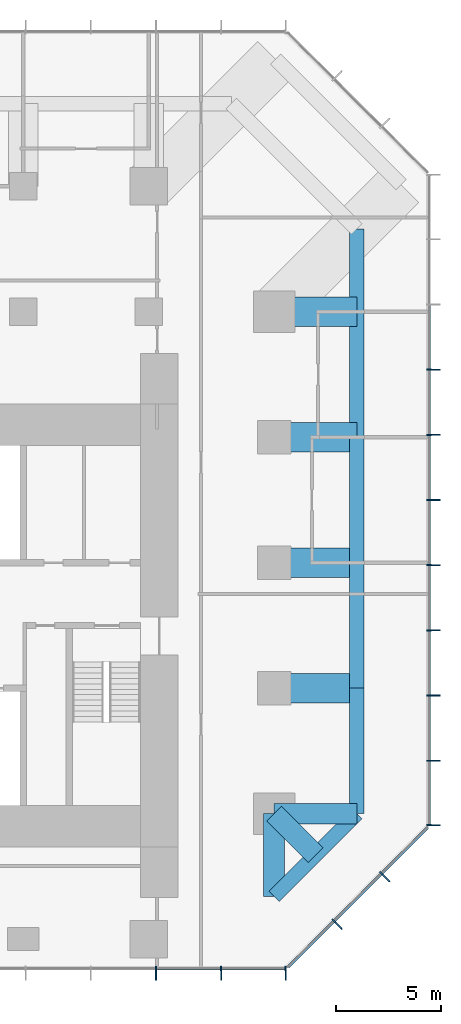
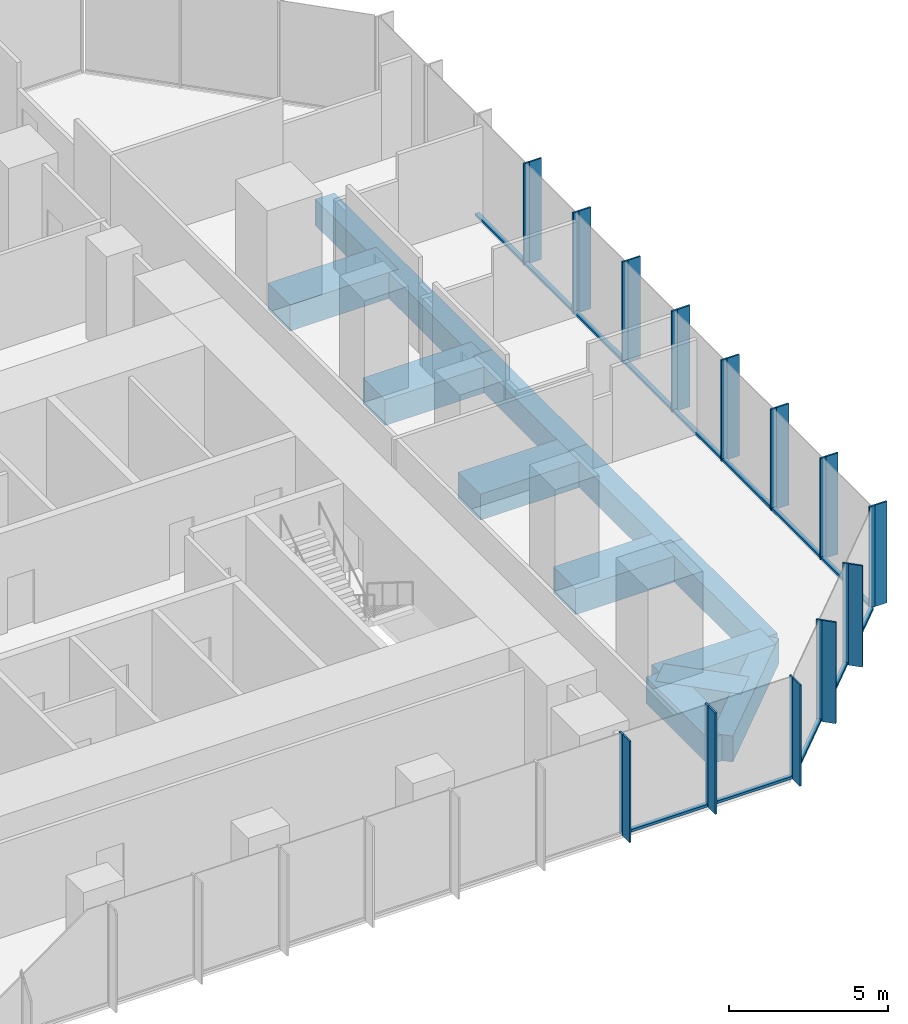
# One storey, part 4 of 11: 39 members, 12 beams, 3 elements without a shape of their own.
"""IFC4 building model written with IfcOpenShell, lengths in metres."""

from ifc_helpers import new_model, si_unit, direction, frame, origin, origin_2d, place, context, subcontext, project, spatial, rectangle, extrude, material, layer, layer_set, material_profile, profile_set, type_object, element, aggregate, save


model = new_model("IFC4")

# Units and contexts
model_context = context("Model", 3, precision=1e-05, world=origin(), true_north=direction((0.0, 1.0)))
body_context = subcontext(model_context, "Body", "Model", "MODEL_VIEW")
ifc_project = project(units=[si_unit("LENGTHUNIT", "METRE"), si_unit("AREAUNIT", "SQUARE_METRE"), si_unit("VOLUMEUNIT", "CUBIC_METRE"), si_unit("PLANEANGLEUNIT", "RADIAN"), si_unit("MASSUNIT", "GRAM", prefix="KILO")], contexts=[model_context])

# Site, building, storey
site_placement = place(None, origin())
site = spatial("IfcSite", under=ifc_project, at=site_placement, CompositionType="ELEMENT")
building_placement = place(site_placement, origin())
building = spatial("IfcBuilding", under=site, at=building_placement, Name="Highveld Stack Headquarters", CompositionType="ELEMENT")
storey_placement = place(building_placement, frame((0.0, 0.0, 181.10009765625)))
storey = spatial("IfcBuildingStorey", under=building, at=storey_placement, Name="L44", CompositionType="ELEMENT", Elevation=181.10009765625)

# Beams
ifc_material_1 = material(Name="Concrete C60/75", Category="concrete")
ifc_material_profile_1 = material_profile(ifc_material_1, rectangle(XDim=1.0, YDim=1.0, at=origin_2d()), Name="RC 1000x1000")
ifc_profile_set_1 = profile_set([ifc_material_profile_1], Name="Concrete C60/75")
beam_type_1 = type_object("IfcBeamType", Name="CANTILEVER RIB RC 1000x1000", PredefinedType="USERDEFINED", material=ifc_profile_set_1)
for number, where, z_axis, x_axis, name in (
    (1, (24.0, -6.0, -0.75), (1.0, 0.0, 0.0), (0.0, 1.0, 0.0), "Cantilever rib 10/D L44"),
    (2, (24.0, -6.0, -0.75), (0.0, -1.0, 0.0), (1.0, 0.0, 0.0), "Cantilever rib 10/D L44"),
):
    element("IfcBeam", number, at=place(storey_placement, frame(where, z_axis=z_axis, x_axis=x_axis)), inside=storey, type_object=beam_type_1, Name=name, ObjectType="CANTILEVER RIB", PredefinedType="USERDEFINED", context=body_context, shape_type="SweptSolid", body=[
        extrude(rectangle(XDim=1.0, YDim=1.0, at=origin_2d()), origin(), (0.0, 0.0, 1.0), 3.949951171875),
    ])
beam_1_placement = place(storey_placement, frame((24.0, -6.0, -0.75), z_axis=(0.707106781187, -0.707106781187, 0.0), x_axis=(0.707106781187, 0.707106781187, 0.0)))
element("IfcBeam", 3, at=beam_1_placement, inside=storey, type_object=beam_type_1, Name="Cantilever rib 10/D L44", ObjectType="CANTILEVER RIB", PredefinedType="USERDEFINED", context=body_context, shape_type="SweptSolid", body=[
    extrude(rectangle(XDim=1.0, YDim=1.0, at=origin_2d()), origin(), (0.0, 0.0, 1.0), 2.793212890625),
])
ifc_material_2 = material(Name="Concrete C60/75", Category="concrete")
ifc_material_profile_2 = material_profile(ifc_material_2, rectangle(XDim=1.39990234375, YDim=1.0, at=origin_2d()), Name="RC 1400x1000")
ifc_profile_set_2 = profile_set([ifc_material_profile_2], Name="Concrete C60/75")
beam_type_2 = type_object("IfcBeamType", Name="CANTILEVER RIB RC 1400x1000", PredefinedType="USERDEFINED", material=ifc_profile_set_2)
for number, where, z_axis, x_axis, name in (
    (4, (24.0, 0.0, -0.75), (1.0, 0.0, 0.0), (0.0, 1.0, 0.0), "Cantilever rib 10/E L44"),
    (5, (24.0, 6.0, -0.75), (1.0, 0.0, 0.0), (0.0, 1.0, 0.0), "Cantilever rib 10/F L44"),
    (6, (24.0, 12.0, -0.75), (1.0, 0.0, 0.0), (0.0, 1.0, 0.0), "Cantilever rib 10/G L44"),
    (7, (24.0, 18.0, -0.75), (1.0, 0.0, 0.0), (0.0, 1.0, 0.0), "Cantilever rib 10/H L44"),
):
    element("IfcBeam", number, at=place(storey_placement, frame(where, z_axis=z_axis, x_axis=x_axis)), inside=storey, type_object=beam_type_2, Name=name, ObjectType="CANTILEVER RIB", PredefinedType="USERDEFINED", context=body_context, shape_type="SweptSolid", body=[
        extrude(rectangle(XDim=1.39990234375, YDim=1.0, at=origin_2d()), origin(), (0.0, 0.0, 1.0), 3.949951171875),
    ])

# Curtain wall, members
ifc_material_3 = material(Name="Aluminium bronze anodised", Category="aluminium")
ifc_layer_1 = layer(ifc_material_3, 0.199951171875)
ifc_layer_set_1 = layer_set([ifc_layer_1], Name="Aluminium bronze anodised")
curtain_wall_type_1 = type_object("IfcCurtainWallType", Name="CW1 TOWER UNITISED CURTAIN WALL", PredefinedType="NOTDEFINED", material=ifc_layer_set_1)
curtain_wall_1_placement = place(storey_placement, origin())
curtain_wall_1 = element("IfcCurtainWall", 8, at=curtain_wall_1_placement, inside=storey, type_object=curtain_wall_type_1, Name="Curtain wall CW1 L44 S", PredefinedType="NOTDEFINED")
ifc_material_4 = material(Name="Aluminium bronze anodised", Category="aluminium")
ifc_material_profile_3 = material_profile(ifc_material_4, rectangle(XDim=0.449951171875, YDim=0.06005859375, at=origin_2d()), Name="FIN 450x60")
ifc_profile_set_3 = profile_set([ifc_material_profile_3], Name="Aluminium bronze anodised")
member_type_1 = type_object("IfcMemberType", Name="CW1 BRONZE FIN 450x60", PredefinedType="USERDEFINED", material=ifc_profile_set_3)
member_1_placement = place(storey_placement, frame((18.347900390625, -13.72509765625, 0.0), z_axis=(0.0, 0.0, 1.0), x_axis=(0.0, 1.0, 0.0)))
member_1 = element("IfcMember", 9, at=member_1_placement, type_object=member_type_1, Name="CW1 fin L44 9", ObjectType="FIN", PredefinedType="USERDEFINED", context=body_context, shape_type="SweptSolid", body=[
    extrude(rectangle(XDim=0.449951171875, YDim=0.06005859375, at=origin_2d()), origin(), (0.0, 0.0, 1.0), 3.89990234375),
])
member_2_placement = place(storey_placement, frame((21.4638671875, -13.72509765625, 0.0), z_axis=(0.0, 0.0, 1.0), x_axis=(0.0, 1.0, 0.0)))
member_2 = element("IfcMember", 10, at=member_2_placement, type_object=member_type_1, Name="CW1 fin L44 10", ObjectType="FIN", PredefinedType="USERDEFINED", context=body_context, shape_type="SweptSolid", body=[
    extrude(rectangle(XDim=0.449951171875, YDim=0.06005859375, at=origin_2d()), origin(), (0.0, 0.0, 1.0), 3.89990234375),
])
member_3_placement = place(storey_placement, frame((24.54736328125, -13.72509765625, 0.0), z_axis=(0.0, 0.0, 1.0), x_axis=(0.0, 1.0, 0.0)))
member_3 = element("IfcMember", 11, at=member_3_placement, type_object=member_type_1, Name="CW1 fin L44 11", ObjectType="FIN", PredefinedType="USERDEFINED", context=body_context, shape_type="SweptSolid", body=[
    extrude(rectangle(XDim=0.449951171875, YDim=0.06005859375, at=origin_2d()), origin(), (0.0, 0.0, 1.0), 3.89990234375),
])

curtain_wall_2_placement = place(storey_placement, origin())
curtain_wall_2 = element("IfcCurtainWall", 12, at=curtain_wall_2_placement, inside=storey, type_object=curtain_wall_type_1, Name="Curtain wall CW1 L44 E", PredefinedType="NOTDEFINED")
member_4_placement = place(storey_placement, frame((31.72509765625, -6.54736328125, 0.0), z_axis=(0.0, 0.0, 1.0), x_axis=(-1.0, 0.0, 0.0)))
member_4 = element("IfcMember", 13, at=member_4_placement, type_object=member_type_1, Name="CW1 fin L44 1", ObjectType="FIN", PredefinedType="USERDEFINED", context=body_context, shape_type="SweptSolid", body=[
    extrude(rectangle(XDim=0.449951171875, YDim=0.06005859375, at=origin_2d()), origin(), (0.0, 0.0, 1.0), 3.89990234375),
])
member_5_placement = place(storey_placement, frame((31.72509765625, -3.4638671875, 0.0), z_axis=(0.0, 0.0, 1.0), x_axis=(-1.0, 0.0, 0.0)))
member_5 = element("IfcMember", 14, at=member_5_placement, type_object=member_type_1, Name="CW1 fin L44 2", ObjectType="FIN", PredefinedType="USERDEFINED", context=body_context, shape_type="SweptSolid", body=[
    extrude(rectangle(XDim=0.449951171875, YDim=0.06005859375, at=origin_2d()), origin(), (0.0, 0.0, 1.0), 3.89990234375),
])
member_6_placement = place(storey_placement, frame((31.72509765625, -0.347900390625, 0.0), z_axis=(0.0, 0.0, 1.0), x_axis=(-1.0, 0.0, 0.0)))
member_6 = element("IfcMember", 15, at=member_6_placement, type_object=member_type_1, Name="CW1 fin L44 3", ObjectType="FIN", PredefinedType="USERDEFINED", context=body_context, shape_type="SweptSolid", body=[
    extrude(rectangle(XDim=0.449951171875, YDim=0.06005859375, at=origin_2d()), origin(), (0.0, 0.0, 1.0), 3.89990234375),
])
member_7_placement = place(storey_placement, frame((31.72509765625, 2.76806640625, 0.0), z_axis=(0.0, 0.0, 1.0), x_axis=(-1.0, 0.0, 0.0)))
member_7 = element("IfcMember", 16, at=member_7_placement, type_object=member_type_1, Name="CW1 fin L44 4", ObjectType="FIN", PredefinedType="USERDEFINED", context=body_context, shape_type="SweptSolid", body=[
    extrude(rectangle(XDim=0.449951171875, YDim=0.06005859375, at=origin_2d()), origin(), (0.0, 0.0, 1.0), 3.89990234375),
])
member_8_placement = place(storey_placement, frame((31.72509765625, 5.884033203125, 0.0), z_axis=(0.0, 0.0, 1.0), x_axis=(-1.0, 0.0, 0.0)))
member_8 = element("IfcMember", 17, at=member_8_placement, type_object=member_type_1, Name="CW1 fin L44 5", ObjectType="FIN", PredefinedType="USERDEFINED", context=body_context, shape_type="SweptSolid", body=[
    extrude(rectangle(XDim=0.449951171875, YDim=0.06005859375, at=origin_2d()), origin(), (0.0, 0.0, 1.0), 3.89990234375),
])
member_9_placement = place(storey_placement, frame((31.72509765625, 9.0, 0.0), z_axis=(0.0, 0.0, 1.0), x_axis=(-1.0, 0.0, 0.0)))
member_9 = element("IfcMember", 18, at=member_9_placement, type_object=member_type_1, Name="CW1 fin L44 6", ObjectType="FIN", PredefinedType="USERDEFINED", context=body_context, shape_type="SweptSolid", body=[
    extrude(rectangle(XDim=0.449951171875, YDim=0.06005859375, at=origin_2d()), origin(), (0.0, 0.0, 1.0), 3.89990234375),
])
member_10_placement = place(storey_placement, frame((31.72509765625, 12.115966796875, 0.0), z_axis=(0.0, 0.0, 1.0), x_axis=(-1.0, 0.0, 0.0)))
member_10 = element("IfcMember", 19, at=member_10_placement, type_object=member_type_1, Name="CW1 fin L44 7", ObjectType="FIN", PredefinedType="USERDEFINED", context=body_context, shape_type="SweptSolid", body=[
    extrude(rectangle(XDim=0.449951171875, YDim=0.06005859375, at=origin_2d()), origin(), (0.0, 0.0, 1.0), 3.89990234375),
])
member_11_placement = place(storey_placement, frame((31.72509765625, 15.23193359375, 0.0), z_axis=(0.0, 0.0, 1.0), x_axis=(-1.0, 0.0, 0.0)))
member_11 = element("IfcMember", 20, at=member_11_placement, type_object=member_type_1, Name="CW1 fin L44 8", ObjectType="FIN", PredefinedType="USERDEFINED", context=body_context, shape_type="SweptSolid", body=[
    extrude(rectangle(XDim=0.449951171875, YDim=0.06005859375, at=origin_2d()), origin(), (0.0, 0.0, 1.0), 3.89990234375),
])

# Member
ifc_material_5 = material(Name="Aluminium bronze anodised", Category="aluminium")
ifc_material_profile_4 = material_profile(ifc_material_5, rectangle(XDim=0.199951171875, YDim=0.06494140625, at=origin_2d()), Name="CW1 MULLION 65x200")
ifc_profile_set_4 = profile_set([ifc_material_profile_4], Name="Aluminium bronze anodised")
member_type_2 = type_object("IfcMemberType", Name="CW1 MULLION 65x200", PredefinedType="MULLION", material=ifc_profile_set_4)
member_12_placement = place(storey_placement, frame((18.347900390625, -13.39990234375, 0.0), z_axis=(0.0, 0.0, 1.0), x_axis=(0.0, 1.0, 0.0)))
member_12 = element("IfcMember", 21, at=member_12_placement, type_object=member_type_2, Name="CW1 mullion L44 9", PredefinedType="MULLION", context=body_context, shape_type="SweptSolid", body=[
    extrude(rectangle(XDim=0.199951171875, YDim=0.06494140625, at=origin_2d()), origin(), (0.0, 0.0, 1.0), 3.89990234375),
])

member_13_placement = place(storey_placement, frame((21.4638671875, -13.39990234375, 0.0), z_axis=(0.0, 0.0, 1.0), x_axis=(0.0, 1.0, 0.0)))
member_13 = element("IfcMember", 22, at=member_13_placement, type_object=member_type_2, Name="CW1 mullion L44 10", PredefinedType="MULLION", context=body_context, shape_type="SweptSolid", body=[
    extrude(rectangle(XDim=0.199951171875, YDim=0.06494140625, at=origin_2d()), origin(), (0.0, 0.0, 1.0), 3.89990234375),
])

member_14_placement = place(storey_placement, frame((24.54736328125, -13.39990234375, 0.0), z_axis=(0.0, 0.0, 1.0), x_axis=(0.0, 1.0, 0.0)))
member_14 = element("IfcMember", 23, at=member_14_placement, type_object=member_type_2, Name="CW1 mullion L44 11", PredefinedType="MULLION", context=body_context, shape_type="SweptSolid", body=[
    extrude(rectangle(XDim=0.199951171875, YDim=0.06494140625, at=origin_2d()), origin(), (0.0, 0.0, 1.0), 3.89990234375),
])

member_15_placement = place(storey_placement, frame((31.39990234375, -6.54736328125, 0.0), z_axis=(0.0, 0.0, 1.0), x_axis=(-1.0, 0.0, 0.0)))
member_15 = element("IfcMember", 24, at=member_15_placement, type_object=member_type_2, Name="CW1 mullion L44 1", PredefinedType="MULLION", context=body_context, shape_type="SweptSolid", body=[
    extrude(rectangle(XDim=0.199951171875, YDim=0.06494140625, at=origin_2d()), origin(), (0.0, 0.0, 1.0), 3.89990234375),
])

member_16_placement = place(storey_placement, frame((31.39990234375, -3.4638671875, 0.0), z_axis=(0.0, 0.0, 1.0), x_axis=(-1.0, 0.0, 0.0)))
member_16 = element("IfcMember", 25, at=member_16_placement, type_object=member_type_2, Name="CW1 mullion L44 2", PredefinedType="MULLION", context=body_context, shape_type="SweptSolid", body=[
    extrude(rectangle(XDim=0.199951171875, YDim=0.06494140625, at=origin_2d()), origin(), (0.0, 0.0, 1.0), 3.89990234375),
])

member_17_placement = place(storey_placement, frame((31.39990234375, -0.347900390625, 0.0), z_axis=(0.0, 0.0, 1.0), x_axis=(-1.0, 0.0, 0.0)))
member_17 = element("IfcMember", 26, at=member_17_placement, type_object=member_type_2, Name="CW1 mullion L44 3", PredefinedType="MULLION", context=body_context, shape_type="SweptSolid", body=[
    extrude(rectangle(XDim=0.199951171875, YDim=0.06494140625, at=origin_2d()), origin(), (0.0, 0.0, 1.0), 3.89990234375),
])

member_18_placement = place(storey_placement, frame((31.39990234375, 2.76806640625, 0.0), z_axis=(0.0, 0.0, 1.0), x_axis=(-1.0, 0.0, 0.0)))
member_18 = element("IfcMember", 27, at=member_18_placement, type_object=member_type_2, Name="CW1 mullion L44 4", PredefinedType="MULLION", context=body_context, shape_type="SweptSolid", body=[
    extrude(rectangle(XDim=0.199951171875, YDim=0.06494140625, at=origin_2d()), origin(), (0.0, 0.0, 1.0), 3.89990234375),
])

member_19_placement = place(storey_placement, frame((31.39990234375, 5.884033203125, 0.0), z_axis=(0.0, 0.0, 1.0), x_axis=(-1.0, 0.0, 0.0)))
member_19 = element("IfcMember", 28, at=member_19_placement, type_object=member_type_2, Name="CW1 mullion L44 5", PredefinedType="MULLION", context=body_context, shape_type="SweptSolid", body=[
    extrude(rectangle(XDim=0.199951171875, YDim=0.06494140625, at=origin_2d()), origin(), (0.0, 0.0, 1.0), 3.89990234375),
])

member_20_placement = place(storey_placement, frame((31.39990234375, 9.0, 0.0), z_axis=(0.0, 0.0, 1.0), x_axis=(-1.0, 0.0, 0.0)))
member_20 = element("IfcMember", 29, at=member_20_placement, type_object=member_type_2, Name="CW1 mullion L44 6", PredefinedType="MULLION", context=body_context, shape_type="SweptSolid", body=[
    extrude(rectangle(XDim=0.199951171875, YDim=0.06494140625, at=origin_2d()), origin(), (0.0, 0.0, 1.0), 3.89990234375),
])

member_21_placement = place(storey_placement, frame((31.39990234375, 12.115966796875, 0.0), z_axis=(0.0, 0.0, 1.0), x_axis=(-1.0, 0.0, 0.0)))
member_21 = element("IfcMember", 30, at=member_21_placement, type_object=member_type_2, Name="CW1 mullion L44 7", PredefinedType="MULLION", context=body_context, shape_type="SweptSolid", body=[
    extrude(rectangle(XDim=0.199951171875, YDim=0.06494140625, at=origin_2d()), origin(), (0.0, 0.0, 1.0), 3.89990234375),
])

member_22_placement = place(storey_placement, frame((31.39990234375, 15.23193359375, 0.0), z_axis=(0.0, 0.0, 1.0), x_axis=(-1.0, 0.0, 0.0)))
member_22 = element("IfcMember", 31, at=member_22_placement, type_object=member_type_2, Name="CW1 mullion L44 8", PredefinedType="MULLION", context=body_context, shape_type="SweptSolid", body=[
    extrude(rectangle(XDim=0.199951171875, YDim=0.06494140625, at=origin_2d()), origin(), (0.0, 0.0, 1.0), 3.89990234375),
])

ifc_material_6 = material(Name="Aluminium bronze anodised", Category="aluminium")
ifc_material_profile_5 = material_profile(ifc_material_6, rectangle(XDim=0.14990234375, YDim=0.10009765625, at=origin_2d()), Name="CW1 TRANSOM 150x100")
ifc_profile_set_5 = profile_set([ifc_material_profile_5], Name="Aluminium bronze anodised")
member_type_3 = type_object("IfcMemberType", Name="CW1 STACK TRANSOM 150x100", PredefinedType="USERDEFINED", material=ifc_profile_set_5)
member_23_placement = place(storey_placement, frame((18.38037109375, -13.39990234375, 0.0498046875), z_axis=(1.0, 0.0, 0.0), x_axis=(0.0, 1.0, 0.0)))
member_23 = element("IfcMember", 32, at=member_23_placement, type_object=member_type_3, Name="CW1 transom L44 9.1", ObjectType="TRANSOM", PredefinedType="USERDEFINED", context=body_context, shape_type="SweptSolid", body=[
    extrude(rectangle(XDim=0.14990234375, YDim=0.10009765625, at=origin_2d()), origin(), (0.0, 0.0, 1.0), 3.051025390625),
])

member_24_placement = place(storey_placement, frame((21.496337890625, -13.39990234375, 0.0498046875), z_axis=(1.0, 0.0, 0.0), x_axis=(0.0, 1.0, 0.0)))
member_24 = element("IfcMember", 33, at=member_24_placement, type_object=member_type_3, Name="CW1 transom L44 10.1", ObjectType="TRANSOM", PredefinedType="USERDEFINED", context=body_context, shape_type="SweptSolid", body=[
    extrude(rectangle(XDim=0.14990234375, YDim=0.10009765625, at=origin_2d()), origin(), (0.0, 0.0, 1.0), 3.0185546875),
])

aggregate(curtain_wall_1, [member_12, member_1, member_13, member_2, member_14, member_3, member_23, member_24])

member_25_placement = place(storey_placement, frame((31.39990234375, -6.514892578125, 0.0498046875), z_axis=(0.0, 1.0, 0.0), x_axis=(-1.0, 0.0, 0.0)))
member_25 = element("IfcMember", 34, at=member_25_placement, type_object=member_type_3, Name="CW1 transom L44 1.1", ObjectType="TRANSOM", PredefinedType="USERDEFINED", context=body_context, shape_type="SweptSolid", body=[
    extrude(rectangle(XDim=0.14990234375, YDim=0.10009765625, at=origin_2d()), origin(), (0.0, 0.0, 1.0), 3.0185546875),
])

member_26_placement = place(storey_placement, frame((31.39990234375, -3.431396484375, 0.0498046875), z_axis=(0.0, 1.0, 0.0), x_axis=(-1.0, 0.0, 0.0)))
member_26 = element("IfcMember", 35, at=member_26_placement, type_object=member_type_3, Name="CW1 transom L44 2.1", ObjectType="TRANSOM", PredefinedType="USERDEFINED", context=body_context, shape_type="SweptSolid", body=[
    extrude(rectangle(XDim=0.14990234375, YDim=0.10009765625, at=origin_2d()), origin(), (0.0, 0.0, 1.0), 3.051025390625),
])

member_27_placement = place(storey_placement, frame((31.39990234375, -0.3154296875, 0.0498046875), z_axis=(0.0, 1.0, 0.0), x_axis=(-1.0, 0.0, 0.0)))
member_27 = element("IfcMember", 36, at=member_27_placement, type_object=member_type_3, Name="CW1 transom L44 3.1", ObjectType="TRANSOM", PredefinedType="USERDEFINED", context=body_context, shape_type="SweptSolid", body=[
    extrude(rectangle(XDim=0.14990234375, YDim=0.10009765625, at=origin_2d()), origin(), (0.0, 0.0, 1.0), 3.051025390625),
])

member_28_placement = place(storey_placement, frame((31.39990234375, 2.800537109375, 0.0498046875), z_axis=(0.0, 1.0, 0.0), x_axis=(-1.0, 0.0, 0.0)))
member_28 = element("IfcMember", 37, at=member_28_placement, type_object=member_type_3, Name="CW1 transom L44 4.1", ObjectType="TRANSOM", PredefinedType="USERDEFINED", context=body_context, shape_type="SweptSolid", body=[
    extrude(rectangle(XDim=0.14990234375, YDim=0.10009765625, at=origin_2d()), origin(), (0.0, 0.0, 1.0), 3.051025390625),
])

member_29_placement = place(storey_placement, frame((31.39990234375, 5.91650390625, 0.0498046875), z_axis=(0.0, 1.0, 0.0), x_axis=(-1.0, 0.0, 0.0)))
member_29 = element("IfcMember", 38, at=member_29_placement, type_object=member_type_3, Name="CW1 transom L44 5.1", ObjectType="TRANSOM", PredefinedType="USERDEFINED", context=body_context, shape_type="SweptSolid", body=[
    extrude(rectangle(XDim=0.14990234375, YDim=0.10009765625, at=origin_2d()), origin(), (0.0, 0.0, 1.0), 3.051025390625),
])

member_30_placement = place(storey_placement, frame((31.39990234375, 9.032470703125, 0.0498046875), z_axis=(0.0, 1.0, 0.0), x_axis=(-1.0, 0.0, 0.0)))
member_30 = element("IfcMember", 39, at=member_30_placement, type_object=member_type_3, Name="CW1 transom L44 6.1", ObjectType="TRANSOM", PredefinedType="USERDEFINED", context=body_context, shape_type="SweptSolid", body=[
    extrude(rectangle(XDim=0.14990234375, YDim=0.10009765625, at=origin_2d()), origin(), (0.0, 0.0, 1.0), 3.051025390625),
])

member_31_placement = place(storey_placement, frame((31.39990234375, 12.1484375, 0.0498046875), z_axis=(0.0, 1.0, 0.0), x_axis=(-1.0, 0.0, 0.0)))
member_31 = element("IfcMember", 40, at=member_31_placement, type_object=member_type_3, Name="CW1 transom L44 7.1", ObjectType="TRANSOM", PredefinedType="USERDEFINED", context=body_context, shape_type="SweptSolid", body=[
    extrude(rectangle(XDim=0.14990234375, YDim=0.10009765625, at=origin_2d()), origin(), (0.0, 0.0, 1.0), 3.051025390625),
])

member_32_placement = place(storey_placement, frame((31.39990234375, 15.264404296875, 0.0498046875), z_axis=(0.0, 1.0, 0.0), x_axis=(-1.0, 0.0, 0.0)))
member_32 = element("IfcMember", 41, at=member_32_placement, type_object=member_type_3, Name="CW1 transom L44 8.1", ObjectType="TRANSOM", PredefinedType="USERDEFINED", context=body_context, shape_type="SweptSolid", body=[
    extrude(rectangle(XDim=0.14990234375, YDim=0.10009765625, at=origin_2d()), origin(), (0.0, 0.0, 1.0), 3.051025390625),
])

aggregate(curtain_wall_2, [member_15, member_4, member_16, member_5, member_17, member_6, member_18, member_7, member_19, member_8, member_20, member_9, member_21, member_10, member_22, member_11, member_25, member_26, member_27, member_28, member_29, member_30, member_31, member_32])

# Curtain wall, members
ifc_material_7 = material(Name="Aluminium bronze anodised", Category="aluminium")
ifc_layer_2 = layer(ifc_material_7, 0.199951171875)
ifc_layer_set_2 = layer_set([ifc_layer_2], Name="Aluminium bronze anodised")
curtain_wall_type_2 = type_object("IfcCurtainWallType", Name="CW2 TOWER CHAMFER UNITISED CURTAIN WALL", PredefinedType="NOTDEFINED", material=ifc_layer_set_2)
curtain_wall_3_placement = place(storey_placement, origin())
curtain_wall_3 = element("IfcCurtainWall", 42, at=curtain_wall_3_placement, inside=storey, type_object=curtain_wall_type_2, Name="Curtain wall CW2 L44 SE", PredefinedType="NOTDEFINED")
ifc_material_8 = material(Name="Aluminium bronze anodised", Category="aluminium")
ifc_material_profile_6 = material_profile(ifc_material_8, rectangle(XDim=0.449951171875, YDim=0.06005859375, at=origin_2d()), Name="FIN 450x60")
ifc_profile_set_6 = profile_set([ifc_material_profile_6], Name="Aluminium bronze anodised")
member_type_4 = type_object("IfcMemberType", Name="CW2 BRONZE FIN 450x60", PredefinedType="USERDEFINED", material=ifc_profile_set_6)
member_33_placement = place(storey_placement, frame((27.0830078125, -11.3564453125, 0.0), z_axis=(0.0, 0.0, 1.0), x_axis=(-0.707106781187, 0.707106781187, 0.0)))
member_33 = element("IfcMember", 43, at=member_33_placement, type_object=member_type_4, Name="CW2 fin L44 1", ObjectType="FIN", PredefinedType="USERDEFINED", context=body_context, shape_type="SweptSolid", body=[
    extrude(rectangle(XDim=0.449951171875, YDim=0.06005859375, at=origin_2d()), origin(), (0.0, 0.0, 1.0), 3.89990234375),
])
member_34_placement = place(storey_placement, frame((29.3564453125, -9.0830078125, 0.0), z_axis=(0.0, 0.0, 1.0), x_axis=(-0.707106781187, 0.707106781187, 0.0)))
member_34 = element("IfcMember", 44, at=member_34_placement, type_object=member_type_4, Name="CW2 fin L44 2", ObjectType="FIN", PredefinedType="USERDEFINED", context=body_context, shape_type="SweptSolid", body=[
    extrude(rectangle(XDim=0.449951171875, YDim=0.06005859375, at=origin_2d()), origin(), (0.0, 0.0, 1.0), 3.89990234375),
])
ifc_material_9 = material(Name="Aluminium bronze anodised", Category="aluminium")
ifc_material_profile_7 = material_profile(ifc_material_9, rectangle(XDim=0.199951171875, YDim=0.06494140625, at=origin_2d()), Name="CW2 MULLION 65x200")
ifc_profile_set_7 = profile_set([ifc_material_profile_7], Name="Aluminium bronze anodised")
member_type_5 = type_object("IfcMemberType", Name="CW2 MULLION 65x200", PredefinedType="MULLION", material=ifc_profile_set_7)
member_35_placement = place(storey_placement, frame((26.853271484375, -11.126708984375, 0.0), z_axis=(0.0, 0.0, 1.0), x_axis=(-0.707106781187, 0.707106781187, 0.0)))
member_35 = element("IfcMember", 45, at=member_35_placement, type_object=member_type_5, Name="CW2 mullion L44 1", PredefinedType="MULLION", context=body_context, shape_type="SweptSolid", body=[
    extrude(rectangle(XDim=0.199951171875, YDim=0.06494140625, at=origin_2d()), origin(), (0.0, 0.0, 1.0), 3.89990234375),
])
member_36_placement = place(storey_placement, frame((29.126708984375, -8.853271484375, 0.0), z_axis=(0.0, 0.0, 1.0), x_axis=(-0.707106781187, 0.707106781187, 0.0)))
member_36 = element("IfcMember", 46, at=member_36_placement, type_object=member_type_5, Name="CW2 mullion L44 2", PredefinedType="MULLION", context=body_context, shape_type="SweptSolid", body=[
    extrude(rectangle(XDim=0.199951171875, YDim=0.06494140625, at=origin_2d()), origin(), (0.0, 0.0, 1.0), 3.89990234375),
])
ifc_material_10 = material(Name="Aluminium bronze anodised", Category="aluminium")
ifc_material_profile_8 = material_profile(ifc_material_10, rectangle(XDim=0.14990234375, YDim=0.10009765625, at=origin_2d()), Name="CW2 TRANSOM 150x100")
ifc_profile_set_8 = profile_set([ifc_material_profile_8], Name="Aluminium bronze anodised")
member_type_6 = type_object("IfcMemberType", Name="CW2 STACK TRANSOM 150x100", PredefinedType="USERDEFINED", material=ifc_profile_set_8)
member_37_placement = place(storey_placement, frame((24.650634765625, -13.329345703125, 0.0498046875), z_axis=(0.707106781187, 0.707106781187, 0.0), x_axis=(-0.707106781187, 0.707106781187, 0.0)))
member_37 = element("IfcMember", 47, at=member_37_placement, type_object=member_type_6, Name="CW2 transom L44 1.1", ObjectType="TRANSOM", PredefinedType="USERDEFINED", context=body_context, shape_type="SweptSolid", body=[
    extrude(rectangle(XDim=0.14990234375, YDim=0.10009765625, at=origin_2d()), origin(), (0.0, 0.0, 1.0), 3.08251953125),
])
member_38_placement = place(storey_placement, frame((26.876220703125, -11.103759765625, 0.0498046875), z_axis=(0.707106781187, 0.707106781187, 0.0), x_axis=(-0.707106781187, 0.707106781187, 0.0)))
member_38 = element("IfcMember", 48, at=member_38_placement, type_object=member_type_6, Name="CW2 transom L44 2.1", ObjectType="TRANSOM", PredefinedType="USERDEFINED", context=body_context, shape_type="SweptSolid", body=[
    extrude(rectangle(XDim=0.14990234375, YDim=0.10009765625, at=origin_2d()), origin(), (0.0, 0.0, 1.0), 3.150146484375),
])
member_39_placement = place(storey_placement, frame((29.149658203125, -8.830322265625, 0.0498046875), z_axis=(0.707106781187, 0.707106781187, 0.0), x_axis=(-0.707106781187, 0.707106781187, 0.0)))
member_39 = element("IfcMember", 49, at=member_39_placement, type_object=member_type_6, Name="CW2 transom L44 3.1", ObjectType="TRANSOM", PredefinedType="USERDEFINED", context=body_context, shape_type="SweptSolid", body=[
    extrude(rectangle(XDim=0.14990234375, YDim=0.10009765625, at=origin_2d()), origin(), (0.0, 0.0, 1.0), 3.08251953125),
])
aggregate(curtain_wall_3, [member_35, member_33, member_36, member_34, member_37, member_38, member_39])

# Beams
ifc_material_11 = material(Name="Concrete C60/75", Category="concrete")
ifc_material_profile_9 = material_profile(ifc_material_11, rectangle(XDim=0.699951171875, YDim=1.0, at=origin_2d()), Name="RC 700x1000")
ifc_profile_set_9 = profile_set([ifc_material_profile_9], Name="Concrete C60/75")
beam_type_3 = type_object("IfcBeamType", Name="RIB TIP BEAM RC 700x1000", PredefinedType="SPANDREL", material=ifc_profile_set_9)
for number, where, z_axis, x_axis, name in (
    (50, (27.949951171875, -6.0, -0.75), (0.0, 1.0, 0.0), (-1.0, 0.0, 0.0), "Rib tip beam 10/D to 10/E L44"),
    (51, (27.949951171875, 0.0, -0.75), (0.0, 1.0, 0.0), (-1.0, 0.0, 0.0), "Rib tip beam 10/E to 10/F L44"),
    (52, (27.949951171875, 6.0, -0.75), (0.0, 1.0, 0.0), (-1.0, 0.0, 0.0), "Rib tip beam 10/F to 10/G L44"),
):
    element("IfcBeam", number, at=place(storey_placement, frame(where, z_axis=z_axis, x_axis=x_axis)), inside=storey, type_object=beam_type_3, Name=name, PredefinedType="SPANDREL", context=body_context, shape_type="SweptSolid", body=[
        extrude(rectangle(XDim=0.699951171875, YDim=1.0, at=origin_2d()), origin(), (0.0, 0.0, 1.0), 6.0),
    ])
beam_2_placement = place(storey_placement, frame((27.949951171875, 12.0, -0.75), z_axis=(0.0, 1.0, 0.0), x_axis=(-1.0, 0.0, 0.0)))
element("IfcBeam", 53, at=beam_2_placement, inside=storey, type_object=beam_type_3, Name="Rib tip beam 10/G to 10/H L44", PredefinedType="SPANDREL", context=body_context, shape_type="SweptSolid", body=[
    extrude(rectangle(XDim=0.699951171875, YDim=1.0, at=origin_2d()), origin(), (0.0, 0.0, 1.0), 9.949951171875),
])
beam_3_placement = place(storey_placement, frame((27.949951171875, -6.0, -0.75), z_axis=(-0.707106781187, -0.707106781187, 0.0), x_axis=(0.707106781187, -0.707106781187, 0.0)))
element("IfcBeam", 54, at=beam_3_placement, inside=storey, type_object=beam_type_3, Name="Rib tip beam 10/D corner L44", PredefinedType="SPANDREL", context=body_context, shape_type="SweptSolid", body=[
    extrude(rectangle(XDim=0.699951171875, YDim=1.0, at=origin_2d()), origin(), (0.0, 0.0, 1.0), 5.586181640625),
])

save(model, "model.ifc")
